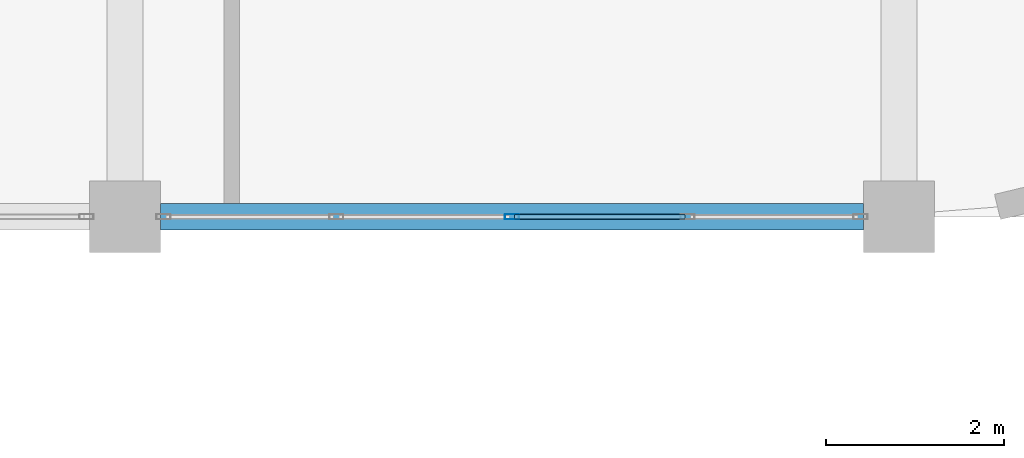
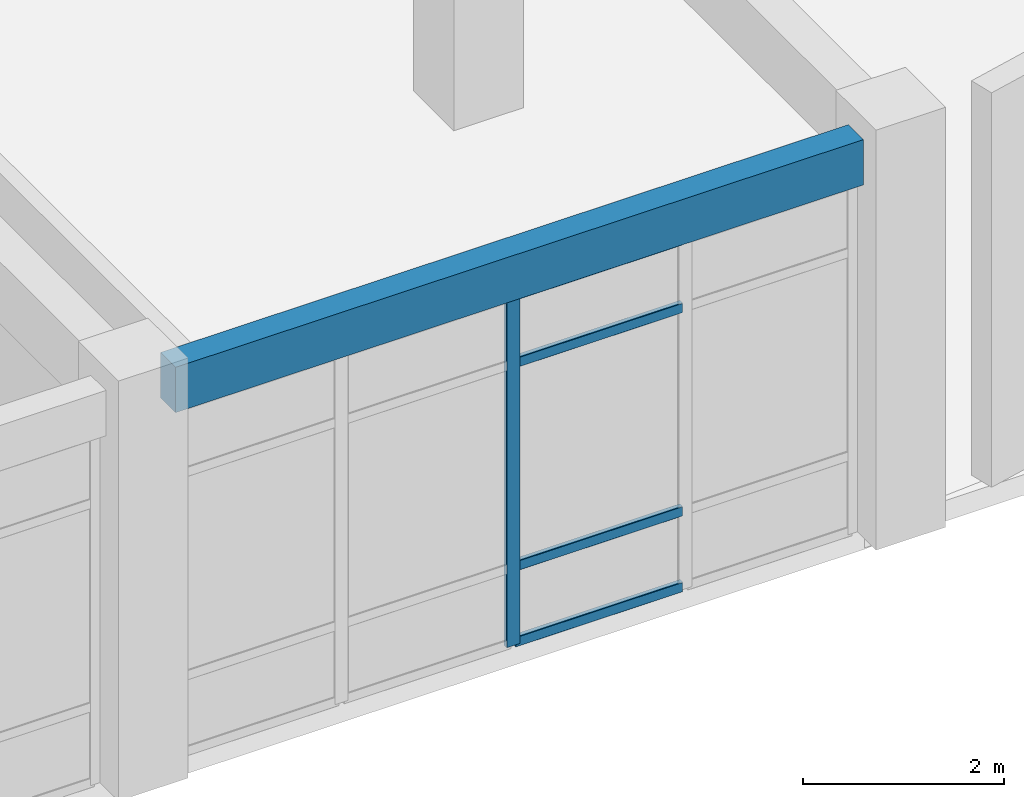
# One storey, part 54 of 96: 5 members, 1 beam, 1 element without a shape of its own.
"""IFC4 building model written with IfcOpenShell, lengths in metres."""

from ifc_helpers import new_model, si_unit, derived_unit, direction, frame, origin, origin_2d, place, context, subcontext, project, spatial, rectangle, hollow_rectangle, extrude, material, layer, layer_set, material_profile, profile_set, type_object, element, aggregate, save


model = new_model("IFC4")

# Units and contexts
model_context = context("Model", 3, precision=1e-05, world=origin(), true_north=direction((0.0, 1.0)))
body_context = subcontext(model_context, "Body", "Model", "MODEL_VIEW")
ifc_project = project(units=[si_unit("LENGTHUNIT", "METRE"), si_unit("AREAUNIT", "SQUARE_METRE"), si_unit("VOLUMEUNIT", "CUBIC_METRE"), si_unit("PLANEANGLEUNIT", "RADIAN"), si_unit("MASSUNIT", "GRAM", prefix="KILO"), derived_unit("THERMALTRANSMITTANCEUNIT", [(si_unit("MASSUNIT", "GRAM", prefix="KILO"), 1), (si_unit("TIMEUNIT", "SECOND"), -3), (si_unit("THERMODYNAMICTEMPERATUREUNIT", "KELVIN"), -1)])], contexts=[model_context])

# Site, building, storey
site_placement = place(None, origin())
site = spatial("IfcSite", under=ifc_project, at=site_placement, CompositionType="ELEMENT")
building_placement = place(site_placement, origin())
building = spatial("IfcBuilding", under=site, at=building_placement, Name="Qinzheling Arcade Emporium", CompositionType="ELEMENT")
storey_placement = place(building_placement, frame((0.0, 0.0, 21.60009765625)))
storey = spatial("IfcBuildingStorey", under=building, at=storey_placement, Name="L05", CompositionType="ELEMENT", Elevation=21.60009765625)

# Curtain wall, members
ifc_material_1 = material(Name="Anodised aluminium and solar-control double glazing", Category="aluminium")
ifc_layer = layer(ifc_material_1, 0.159912109375, Name="Anodised aluminium and solar-control double glazing", Category="aluminium")
ifc_layer_set = layer_set([ifc_layer], Name="Anodised aluminium and solar-control double glazing")
curtain_wall_type = type_object("IfcCurtainWallType", Name="Arcade Portal Glazed Curtain Wall", PredefinedType="NOTDEFINED", material=ifc_layer_set)
curtain_wall_placement = place(storey_placement, origin())
curtain_wall = element("IfcCurtainWall", 1, at=curtain_wall_placement, inside=storey, type_object=curtain_wall_type, Name="Curtain Wall CW-L05-343", PredefinedType="NOTDEFINED")
ifc_material_2 = material(Name="Anodised aluminium 6063-T6", Category="aluminium")
ifc_material_profile_1 = material_profile(ifc_material_2, hollow_rectangle(XDim=0.06005859375, YDim=0.159912109375, WallThickness=0.00390625, InnerFilletRadius=0.00390625, OuterFilletRadius=0.008056640625, at=origin_2d()), Name="RHS 160x60x4", Category="aluminium")
ifc_profile_set_1 = profile_set([ifc_material_profile_1], Name="Anodised aluminium 6063-T6")
member_type_1 = type_object("IfcMemberType", Name="Curtain Wall Mullion RHS160x60", PredefinedType="MULLION", material=ifc_profile_set_1)
member_1_placement = place(storey_placement, frame((126.14990234375, 73.800048828125, 0.0), z_axis=(0.0, 0.0, 1.0), x_axis=(0.0, -1.0, 0.0)))
member_1 = element("IfcMember", 2, at=member_1_placement, type_object=member_type_1, Name="CW05 mullion 3", PredefinedType="MULLION", context=body_context, shape_type="SweptSolid", body=[
    extrude(hollow_rectangle(XDim=0.06005859375, YDim=0.159912109375, WallThickness=0.00390625, InnerFilletRadius=0.00390625, OuterFilletRadius=0.008056640625, at=origin_2d()), origin(), (0.0, 0.0, 1.0), 4.27001953125),
])
ifc_material_profile_2 = material_profile(ifc_material_2, hollow_rectangle(XDim=0.06005859375, YDim=0.1201171875, WallThickness=0.00390625, InnerFilletRadius=0.00390625, OuterFilletRadius=0.008056640625, at=origin_2d()), Name="RHS 120x60x4", Category="aluminium")
ifc_profile_set_2 = profile_set([ifc_material_profile_2], Name="Anodised aluminium 6063-T6")
member_type_2 = type_object("IfcMemberType", Name="Curtain Wall Transom RHS120x60", PredefinedType="USERDEFINED", material=ifc_profile_set_2)
member_2_placement = place(storey_placement, frame((128.093994140625, 73.800048828125, 0.02978515625), z_axis=(-1.0, 0.0, 0.0), x_axis=(0.0, -1.0, 0.0)))
member_2 = element("IfcMember", 3, at=member_2_placement, type_object=member_type_2, Name="CW05 transom 2.1", ObjectType="TRANSOM", PredefinedType="USERDEFINED", context=body_context, shape_type="SweptSolid", body=[
    extrude(hollow_rectangle(XDim=0.06005859375, YDim=0.1201171875, WallThickness=0.00390625, InnerFilletRadius=0.00390625, OuterFilletRadius=0.008056640625, at=origin_2d()), origin(), (0.0, 0.0, 1.0), 1.9140625),
])
member_3_placement = place(storey_placement, frame((128.093994140625, 73.800048828125, 0.949951171875), z_axis=(-1.0, 0.0, 0.0), x_axis=(0.0, -1.0, 0.0)))
member_3 = element("IfcMember", 4, at=member_3_placement, type_object=member_type_2, Name="CW05 transom 2.2", ObjectType="TRANSOM", PredefinedType="USERDEFINED", context=body_context, shape_type="SweptSolid", body=[
    extrude(hollow_rectangle(XDim=0.06005859375, YDim=0.1201171875, WallThickness=0.00390625, InnerFilletRadius=0.00390625, OuterFilletRadius=0.008056640625, at=origin_2d()), origin(), (0.0, 0.0, 1.0), 1.9140625),
])
member_4_placement = place(storey_placement, frame((128.093994140625, 73.800048828125, 3.419921875), z_axis=(-1.0, 0.0, 0.0), x_axis=(0.0, -1.0, 0.0)))
member_4 = element("IfcMember", 5, at=member_4_placement, type_object=member_type_2, Name="CW05 transom 2.3", ObjectType="TRANSOM", PredefinedType="USERDEFINED", context=body_context, shape_type="SweptSolid", body=[
    extrude(hollow_rectangle(XDim=0.06005859375, YDim=0.1201171875, WallThickness=0.00390625, InnerFilletRadius=0.00390625, OuterFilletRadius=0.008056640625, at=origin_2d()), origin(), (0.0, 0.0, 1.0), 1.9140625),
])
member_5_placement = place(storey_placement, frame((128.093994140625, 73.800048828125, 4.239990234375), z_axis=(-1.0, 0.0, 0.0), x_axis=(0.0, -1.0, 0.0)))
member_5 = element("IfcMember", 6, at=member_5_placement, type_object=member_type_2, Name="CW05 transom 2.4", ObjectType="TRANSOM", PredefinedType="USERDEFINED", context=body_context, shape_type="SweptSolid", body=[
    extrude(hollow_rectangle(XDim=0.06005859375, YDim=0.1201171875, WallThickness=0.00390625, InnerFilletRadius=0.00390625, OuterFilletRadius=0.008056640625, at=origin_2d()), origin(), (0.0, 0.0, 1.0), 1.9140625),
])
aggregate(curtain_wall, [member_1, member_2, member_3, member_4, member_5])

# Beam
ifc_material_3 = material(Name="Concrete C40", Category="concrete")
ifc_material_profile_3 = material_profile(ifc_material_3, rectangle(XDim=0.300048828125, YDim=0.550048828125, at=origin_2d()), Name="RC 300x550", Category="concrete")
ifc_profile_set_3 = profile_set([ifc_material_profile_3], Name="Concrete C40")
beam_type = type_object("IfcBeamType", Name="RC Terrace Spandrel Beam 300x550 C40", PredefinedType="SPANDREL", material=ifc_profile_set_3)
beam_placement = place(storey_placement, frame((122.199951171875, 73.800048828125, 4.559814453125), z_axis=(1.0, 0.0, 0.0), x_axis=(0.0, 1.0, 0.0)))
element("IfcBeam", 7, at=beam_placement, inside=storey, type_object=beam_type, Name="Beam BM-L05-X-J-15", PredefinedType="SPANDREL", context=body_context, shape_type="SweptSolid", body=[
    extrude(rectangle(XDim=0.300048828125, YDim=0.550048828125, at=origin_2d()), origin(), (0.0, 0.0, 1.0), 7.900146484375),
])

save(model, "model.ifc")
